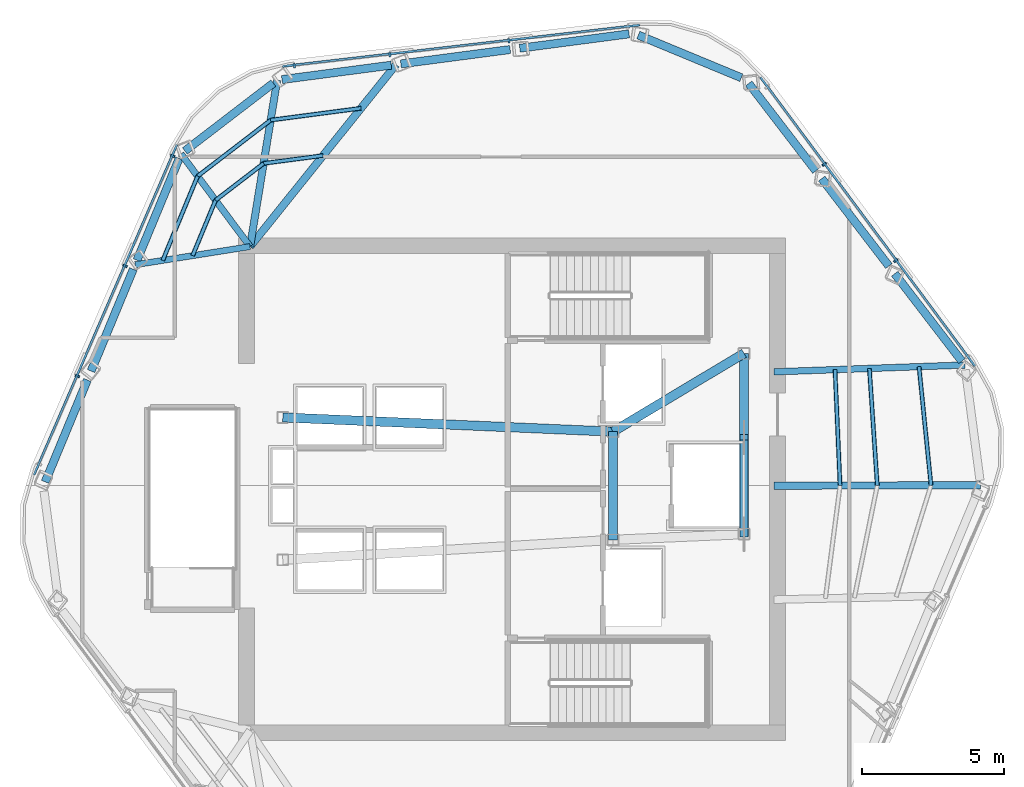
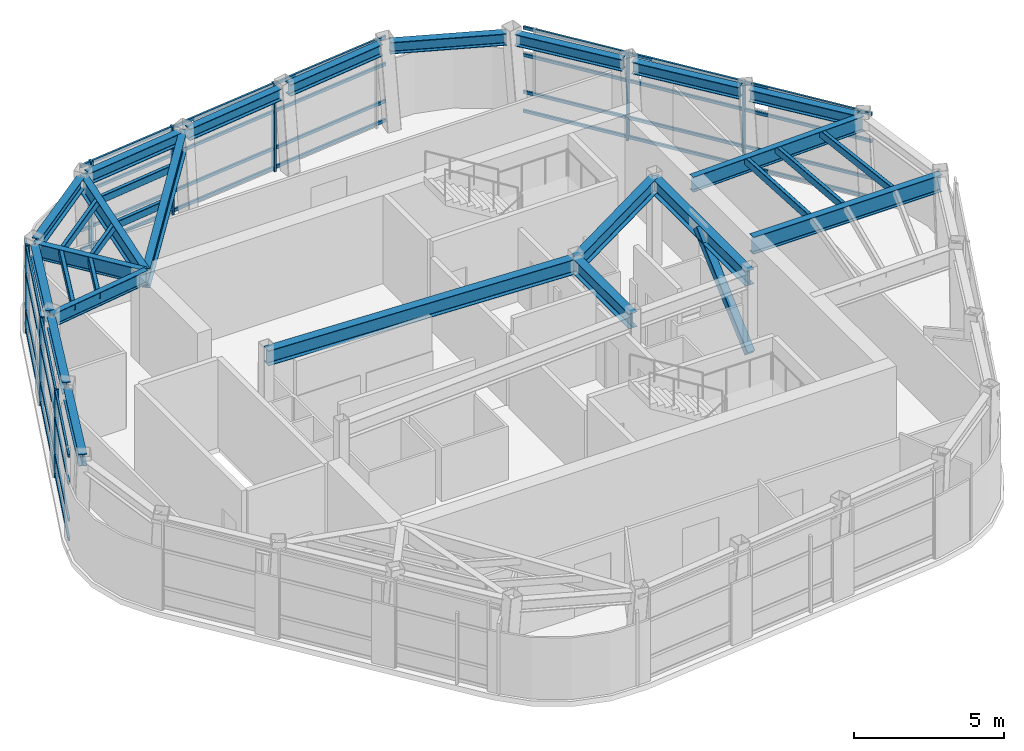
# One storey, part 3 of 11: 30 members, 21 beams, 3 elements without a shape of their own.
"""IFC4 building model written with IfcOpenShell, lengths in metres."""

from ifc_helpers import new_model, si_unit, direction, frame, origin, origin_2d, place, context, subcontext, project, spatial, rectangle, hollow_rectangle, i_section, extrude, material, layer, layer_set, material_profile, profile_set, type_object, element, aggregate, save


model = new_model("IFC4")

# Units and contexts
model_context = context("Model", 3, precision=1e-05, world=origin(), true_north=direction((0.0, 1.0)))
body_context = subcontext(model_context, "Body", "Model", "MODEL_VIEW")
ifc_project = project(units=[si_unit("LENGTHUNIT", "METRE"), si_unit("AREAUNIT", "SQUARE_METRE"), si_unit("VOLUMEUNIT", "CUBIC_METRE"), si_unit("PLANEANGLEUNIT", "RADIAN"), si_unit("MASSUNIT", "GRAM", prefix="KILO")], contexts=[model_context])

# Site, building, storey
site_placement = place(None, origin())
site = spatial("IfcSite", under=ifc_project, at=site_placement, CompositionType="ELEMENT")
building_placement = place(site_placement, origin())
building = spatial("IfcBuilding", under=site, at=building_placement, Name="Valkerne Bourse Tower", CompositionType="ELEMENT")
storey_placement = place(building_placement, frame((0.0, 0.0, 311.60009765625)))
storey = spatial("IfcBuildingStorey", under=building, at=storey_placement, Name="L79", CompositionType="ELEMENT", Elevation=311.60009765625)

# Beams
ifc_material_1 = material(Name="Steel ASTM A992", Category="steel")
ifc_material_profile_1 = material_profile(ifc_material_1, i_section(OverallWidth=0.284423828125, OverallDepth=0.47509765625, WebThickness=0.014892578125, FlangeThickness=0.02392578125, FilletRadius=0.017822265625, at=origin_2d()), Name="W18X106")
ifc_profile_set_1 = profile_set([ifc_material_profile_1], Name="Steel ASTM A992")
beam_type_1 = type_object("IfcBeamType", Name="BM-W18X106", PredefinedType="BEAM", material=ifc_profile_set_1)
beam_1_placement = place(storey_placement, frame((50.91162109375, 42.87109375, 3.34228515625), z_axis=(-0.991446782947, -0.130511595593, 0.0), x_axis=(0.130511595593, -0.991446782947, 0.0)))
element("IfcBeam", 1, at=beam_1_placement, inside=storey, type_object=beam_type_1, Name="L79 Hexagonal Spandrel Ring Beam 00", PredefinedType="BEAM", context=body_context, shape_type="SweptSolid", body=[
    extrude(i_section(OverallWidth=0.284423828125, OverallDepth=0.47509765625, WebThickness=0.014892578125, FlangeThickness=0.02392578125, FilletRadius=0.017822265625, at=origin_2d()), origin(), (0.0, 0.0, 1.0), 3.872314453125),
])
beam_2_placement = place(storey_placement, frame((46.735595703125, 42.3212890625, 3.34228515625), z_axis=(-0.991445708914, -0.130519754353, 0.0), x_axis=(0.130519754353, -0.991445708914, 0.0)))
element("IfcBeam", 2, at=beam_2_placement, inside=storey, type_object=beam_type_1, Name="L79 Hexagonal Spandrel Ring Beam 01", PredefinedType="BEAM", context=body_context, shape_type="SweptSolid", body=[
    extrude(i_section(OverallWidth=0.284423828125, OverallDepth=0.47509765625, WebThickness=0.014892578125, FlangeThickness=0.02392578125, FilletRadius=0.017822265625, at=origin_2d()), origin(), (0.0, 0.0, 1.0), 3.8720703125),
])
beam_3_placement = place(storey_placement, frame((42.559814453125, 41.771484375, 3.34228515625), z_axis=(-0.991454939332, -0.130449619681, 0.0), x_axis=(0.130449619681, -0.991454939332, 0.0)))
element("IfcBeam", 3, at=beam_3_placement, inside=storey, type_object=beam_type_1, Name="L79 Hexagonal Spandrel Ring Beam 02", PredefinedType="BEAM", context=body_context, shape_type="SweptSolid", body=[
    extrude(i_section(OverallWidth=0.284423828125, OverallDepth=0.47509765625, WebThickness=0.014892578125, FlangeThickness=0.02392578125, FilletRadius=0.017822265625, at=origin_2d()), origin(), (0.0, 0.0, 1.0), 3.872314453125),
])
beam_4_placement = place(storey_placement, frame((38.417236328125, 41.140625, 3.34228515625), z_axis=(-0.793337338041, -0.60878228298, 0.0), x_axis=(0.60878228298, -0.793337338041, 0.0)))
element("IfcBeam", 4, at=beam_4_placement, inside=storey, type_object=beam_type_1, Name="L79 Hexagonal Spandrel Ring Beam 03", PredefinedType="BEAM", context=body_context, shape_type="SweptSolid", body=[
    extrude(i_section(OverallWidth=0.284423828125, OverallDepth=0.47509765625, WebThickness=0.014892578125, FlangeThickness=0.02392578125, FilletRadius=0.017822265625, at=origin_2d()), origin(), (0.0, 0.0, 1.0), 3.915771484375),
])
beam_5_placement = place(storey_placement, frame((35.11083984375, 38.496337890625, 3.34228515625), z_axis=(-0.382680358343, -0.923880805807, 0.0), x_axis=(0.923880805807, -0.382680358343, 0.0)))
element("IfcBeam", 5, at=beam_5_placement, inside=storey, type_object=beam_type_1, Name="L79 Hexagonal Spandrel Ring Beam 04", PredefinedType="BEAM", context=body_context, shape_type="SweptSolid", body=[
    extrude(i_section(OverallWidth=0.284423828125, OverallDepth=0.47509765625, WebThickness=0.014892578125, FlangeThickness=0.02392578125, FilletRadius=0.017822265625, at=origin_2d()), origin(), (0.0, 0.0, 1.0), 3.871826171875),
])
beam_6_placement = place(storey_placement, frame((33.4990234375, 34.60498046875, 3.34228515625), z_axis=(-0.382658066395, -0.923890039032, 0.0), x_axis=(0.923890039032, -0.382658066395, 0.0)))
element("IfcBeam", 6, at=beam_6_placement, inside=storey, type_object=beam_type_1, Name="L79 Hexagonal Spandrel Ring Beam 05", PredefinedType="BEAM", context=body_context, shape_type="SweptSolid", body=[
    extrude(i_section(OverallWidth=0.284423828125, OverallDepth=0.47509765625, WebThickness=0.014892578125, FlangeThickness=0.02392578125, FilletRadius=0.017822265625, at=origin_2d()), origin(), (0.0, 0.0, 1.0), 3.8720703125),
])
beam_7_placement = place(storey_placement, frame((31.88720703125, 30.71337890625, 3.34228515625), z_axis=(-0.382680358343, -0.923880805807, 0.0), x_axis=(0.923880805807, -0.382680358343, 0.0)))
element("IfcBeam", 7, at=beam_7_placement, inside=storey, type_object=beam_type_1, Name="L79 Hexagonal Spandrel Ring Beam 06", PredefinedType="BEAM", context=body_context, shape_type="SweptSolid", body=[
    extrude(i_section(OverallWidth=0.284423828125, OverallDepth=0.47509765625, WebThickness=0.014892578125, FlangeThickness=0.02392578125, FilletRadius=0.017822265625, at=origin_2d()), origin(), (0.0, 0.0, 1.0), 3.871826171875),
])
for number, where, z_axis, x_axis, name in (
    (8, (62.6005859375, 31.375, 3.34228515625), (-0.608780948091, 0.793338362391, 0.0), (-0.793338362391, -0.608780948091, 0.0), "L79 Hexagonal Spandrel Ring Beam 20"),
    (9, (60.03662109375, 34.716552734375, 3.34228515625), (-0.608780948091, 0.793338362391, 0.0), (-0.793338362391, -0.608780948091, 0.0), "L79 Hexagonal Spandrel Ring Beam 21"),
    (10, (57.472412109375, 38.05810546875, 3.34228515625), (-0.608780948091, 0.793338362391, 0.0), (-0.793338362391, -0.608780948091, 0.0), "L79 Hexagonal Spandrel Ring Beam 22"),
):
    element("IfcBeam", number, at=place(storey_placement, frame(where, z_axis=z_axis, x_axis=x_axis)), inside=storey, type_object=beam_type_1, Name=name, PredefinedType="BEAM", context=body_context, shape_type="SweptSolid", body=[
        extrude(i_section(OverallWidth=0.284423828125, OverallDepth=0.47509765625, WebThickness=0.014892578125, FlangeThickness=0.02392578125, FilletRadius=0.017822265625, at=origin_2d()), origin(), (0.0, 0.0, 1.0), 3.8720703125),
    ])
beam_8_placement = place(storey_placement, frame((54.854736328125, 41.329833984375, 3.34228515625), z_axis=(-0.92386635704, 0.382715239219, 0.0), x_axis=(-0.382715239219, -0.92386635704, 0.0)))
element("IfcBeam", 11, at=beam_8_placement, inside=storey, type_object=beam_type_1, Name="L79 Hexagonal Spandrel Ring Beam 23", PredefinedType="BEAM", context=body_context, shape_type="SweptSolid", body=[
    extrude(i_section(OverallWidth=0.284423828125, OverallDepth=0.47509765625, WebThickness=0.014892578125, FlangeThickness=0.02392578125, FilletRadius=0.017822265625, at=origin_2d()), origin(), (0.0, 0.0, 1.0), 3.91552734375),
])
ifc_material_profile_2 = material_profile(ifc_material_1, i_section(OverallWidth=0.2138671875, OverallDepth=0.548583984375, WebThickness=0.0146484375, FlangeThickness=0.023681640625, FilletRadius=0.017822265625, at=origin_2d()), Name="W21X93")
ifc_profile_set_2 = profile_set([ifc_material_profile_2], Name="Steel ASTM A992")
beam_type_2 = type_object("IfcBeamType", Name="BM-W21X93", PredefinedType="BEAM", material=ifc_profile_set_2)
beam_9_placement = place(storey_placement, frame((33.564208984375, 34.761962890625, 3.3056640625), z_axis=(0.987736790369, 0.156128258014, 0.0), x_axis=(-0.156128258014, 0.987736790369, 0.0)))
element("IfcBeam", 12, at=beam_9_placement, inside=storey, type_object=beam_type_2, Name="L79 Radial Composite Floor Beam 05", PredefinedType="BEAM", context=body_context, shape_type="SweptSolid", body=[
    extrude(i_section(OverallWidth=0.2138671875, OverallDepth=0.548583984375, WebThickness=0.0146484375, FlangeThickness=0.023681640625, FilletRadius=0.017822265625, at=origin_2d()), origin(), (0.0, 0.0, 1.0), 4.0859375),
])
ifc_material_profile_3 = material_profile(ifc_material_1, i_section(OverallWidth=0.3251953125, OverallDepth=0.612060546875, WebThickness=0.0126953125, FlangeThickness=0.01904296875, FilletRadius=0.020263671875, at=origin_2d()), Name="W24X104")
ifc_profile_set_3 = profile_set([ifc_material_profile_3], Name="Steel ASTM A992")
beam_type_3 = type_object("IfcBeamType", Name="BM-W24X104", PredefinedType="BEAM", material=ifc_profile_set_3)
beam_10_placement = place(storey_placement, frame((50.35009765625, 25.10009765625, 3.273681640625), z_axis=(0.0, 1.0, 0.0), x_axis=(-1.0, 0.0, 0.0)))
element("IfcBeam", 13, at=beam_10_placement, inside=storey, type_object=beam_type_3, Name="L79 Core Frame Girder CG-CE", PredefinedType="BEAM", context=body_context, shape_type="SweptSolid", body=[
    extrude(i_section(OverallWidth=0.3251953125, OverallDepth=0.612060546875, WebThickness=0.0126953125, FlangeThickness=0.01904296875, FilletRadius=0.020263671875, at=origin_2d()), origin(), (0.0, 0.0, 1.0), 3.7998046875),
])
beam_11_placement = place(storey_placement, frame((50.35009765625, 28.89990234375, 3.273681640625), z_axis=(0.858307823492, 0.513135148019, 0.0), x_axis=(-0.513135148019, 0.858307823492, 0.0)))
element("IfcBeam", 14, at=beam_11_placement, inside=storey, type_object=beam_type_3, Name="L79 Core Frame Girder CG-NE", PredefinedType="BEAM", context=body_context, shape_type="SweptSolid", body=[
    extrude(i_section(OverallWidth=0.3251953125, OverallDepth=0.612060546875, WebThickness=0.0126953125, FlangeThickness=0.01904296875, FilletRadius=0.020263671875, at=origin_2d()), origin(), (0.0, 0.0, 1.0), 5.359130859375),
])
beam_12_placement = place(storey_placement, frame((54.949951171875, 25.300048828125, 3.273681640625), z_axis=(0.0, 1.0, 0.0), x_axis=(-1.0, 0.0, 0.0)))
element("IfcBeam", 15, at=beam_12_placement, inside=storey, type_object=beam_type_3, Name="L79 Core Frame Girder CG-EE", PredefinedType="BEAM", context=body_context, shape_type="SweptSolid", body=[
    extrude(i_section(OverallWidth=0.3251953125, OverallDepth=0.612060546875, WebThickness=0.0126953125, FlangeThickness=0.01904296875, FilletRadius=0.020263671875, at=origin_2d()), origin(), (0.0, 0.0, 1.0), 6.349853515625),
])
beam_13_placement = place(storey_placement, frame((38.75, 29.39990234375, 3.273681640625), z_axis=(0.999072354402, -0.043063101019, 0.0), x_axis=(0.043063101019, 0.999072354402, 0.0)))
element("IfcBeam", 16, at=beam_13_placement, inside=storey, type_object=beam_type_3, Name="L79 Core Frame Girder CG-NW", PredefinedType="BEAM", context=body_context, shape_type="SweptSolid", body=[
    extrude(i_section(OverallWidth=0.3251953125, OverallDepth=0.612060546875, WebThickness=0.0126953125, FlangeThickness=0.01904296875, FilletRadius=0.020263671875, at=origin_2d()), origin(), (0.0, 0.0, 1.0), 11.61083984375),
])
ifc_material_profile_4 = material_profile(ifc_material_1, i_section(OverallWidth=0.228271484375, OverallDepth=0.607177734375, WebThickness=0.01123046875, FlangeThickness=0.017333984375, FilletRadius=0.017822265625, at=origin_2d()), Name="W24X76")
ifc_profile_set_4 = profile_set([ifc_material_profile_4], Name="Steel ASTM A992")
beam_type_4 = type_object("IfcBeamType", Name="BM-W24X76", PredefinedType="JOIST", material=ifc_profile_set_4)
beam_14_placement = place(storey_placement, frame((35.176025390625, 38.6533203125, 3.2763671875), z_axis=(0.597474494286, -0.801887915284, 0.0), x_axis=(0.801887915284, 0.597474494286, 0.0)))
element("IfcBeam", 17, at=beam_14_placement, inside=storey, type_object=beam_type_4, Name="L79 Radial Composite Floor Beam 04", PredefinedType="JOIST", context=body_context, shape_type="SweptSolid", body=[
    extrude(i_section(OverallWidth=0.228271484375, OverallDepth=0.607177734375, WebThickness=0.01123046875, FlangeThickness=0.017333984375, FilletRadius=0.017822265625, at=origin_2d()), origin(), (0.0, 0.0, 1.0), 4.05712890625),
])
beam_15_placement = place(storey_placement, frame((62.7041015625, 31.239990234375, 3.2763671875), z_axis=(-0.999359883798, -0.035774609096, 0.0), x_axis=(0.035774609096, -0.999359883798, 0.0)))
element("IfcBeam", 18, at=beam_15_placement, inside=storey, type_object=beam_type_4, Name="L79 Radial Composite Floor Beam 20", PredefinedType="JOIST", context=body_context, shape_type="SweptSolid", body=[
    extrude(i_section(OverallWidth=0.228271484375, OverallDepth=0.607177734375, WebThickness=0.01123046875, FlangeThickness=0.017333984375, FilletRadius=0.017822265625, at=origin_2d()), origin(), (0.0, 0.0, 1.0), 6.70849609375),
])
ifc_material_profile_5 = material_profile(ifc_material_1, i_section(OverallWidth=0.255859375, OverallDepth=0.693359375, WebThickness=0.014404296875, FlangeThickness=0.023681640625, FilletRadius=0.02294921875, at=origin_2d()), Name="W27X114")
ifc_profile_set_5 = profile_set([ifc_material_profile_5], Name="Steel ASTM A992")
beam_type_5 = type_object("IfcBeamType", Name="BM-W27X114", PredefinedType="BEAM", material=ifc_profile_set_5)
beam_16_placement = place(storey_placement, frame((38.55224609375, 41.244140625, 3.233154296875), z_axis=(-0.16080077088, -0.986986885467, 0.0), x_axis=(0.986986885467, -0.16080077088, 0.0)))
element("IfcBeam", 19, at=beam_16_placement, inside=storey, type_object=beam_type_5, Name="L79 Radial Composite Floor Beam 03", PredefinedType="BEAM", context=body_context, shape_type="SweptSolid", body=[
    extrude(i_section(OverallWidth=0.255859375, OverallDepth=0.693359375, WebThickness=0.014404296875, FlangeThickness=0.023681640625, FilletRadius=0.02294921875, at=origin_2d()), origin(), (0.0, 0.0, 1.0), 5.92138671875),
])
beam_17_placement = place(storey_placement, frame((63.259521484375, 27.020751953125, 3.233154296875), z_axis=(-0.999995914273, -0.002858572481, 0.0), x_axis=(0.002858572481, -0.999995914273, 0.0)))
element("IfcBeam", 20, at=beam_17_placement, inside=storey, type_object=beam_type_5, Name="L79 Radial Composite Floor Beam 19", PredefinedType="BEAM", context=body_context, shape_type="SweptSolid", body=[
    extrude(i_section(OverallWidth=0.255859375, OverallDepth=0.693359375, WebThickness=0.014404296875, FlangeThickness=0.023681640625, FilletRadius=0.02294921875, at=origin_2d()), origin(), (0.0, 0.0, 1.0), 7.259521484375),
])
ifc_material_profile_6 = material_profile(ifc_material_1, i_section(OverallWidth=0.26806640625, OverallDepth=0.76953125, WebThickness=0.015625, FlangeThickness=0.025390625, FilletRadius=0.025390625, at=origin_2d()), Name="W30X132")
ifc_profile_set_6 = profile_set([ifc_material_profile_6], Name="Steel ASTM A992")
beam_type_6 = type_object("IfcBeamType", Name="BM-W30X132", PredefinedType="BEAM", material=ifc_profile_set_6)
beam_18_placement = place(storey_placement, frame((42.728271484375, 41.793701171875, 3.195068359375), z_axis=(-0.62567171075, -0.780086476211, 0.0), x_axis=(0.780086476211, -0.62567171075, 0.0)))
element("IfcBeam", 21, at=beam_18_placement, inside=storey, type_object=beam_type_6, Name="L79 Radial Composite Floor Beam 02", PredefinedType="BEAM", context=body_context, shape_type="SweptSolid", body=[
    extrude(i_section(OverallWidth=0.26806640625, OverallDepth=0.76953125, WebThickness=0.015625, FlangeThickness=0.025390625, FilletRadius=0.025390625, at=origin_2d()), origin(), (0.0, 0.0, 1.0), 8.1962890625),
])

# Curtain wall, members
ifc_material_2 = material(Name="Aluminium AA 6063-T6", Category="aluminium")
ifc_layer = layer(ifc_material_2, 0.25)
ifc_layer_set = layer_set([ifc_layer], Name="Aluminium AA 6063-T6")
curtain_wall_type = type_object("IfcCurtainWallType", Name="CW-06", PredefinedType="NOTDEFINED", material=ifc_layer_set)
curtain_wall_1_placement = place(storey_placement, origin())
curtain_wall_1 = element("IfcCurtainWall", 22, at=curtain_wall_1_placement, inside=storey, type_object=curtain_wall_type, Name="L79 Hexagonal Stick Curtain Wall Face 1", PredefinedType="NOTDEFINED")
ifc_material_profile_7 = material_profile(ifc_material_2, rectangle(XDim=0.074951171875, YDim=0.159912109375, at=origin_2d()), Name="CWM-75X160")
ifc_profile_set_7 = profile_set([ifc_material_profile_7], Name="Aluminium AA 6063-T6")
member_type_1 = type_object("IfcMemberType", Name="CW-MUL-160X75", PredefinedType="MULLION", material=ifc_profile_set_7)
member_1_placement = place(storey_placement, frame((46.688720703125, 42.629638671875, 0.0), z_axis=(0.0, 0.0, 1.0), x_axis=(-0.993372909733, -0.114935904784, 0.0)))
member_1 = element("IfcMember", 23, at=member_1_placement, type_object=member_type_1, Name="CW-L79-F1 Jamb Mullion 01A", PredefinedType="MULLION", context=body_context, shape_type="SweptSolid", body=[
    extrude(rectangle(XDim=0.074951171875, YDim=0.159912109375, at=origin_2d()), origin(), (0.0, 0.0, 1.0), 3.579833984375),
])
member_2_placement = place(storey_placement, frame((42.5048828125, 42.1455078125, 0.0), z_axis=(0.0, 0.0, 1.0), x_axis=(-0.993370512475, -0.114956622011, 0.0)))
member_2 = element("IfcMember", 24, at=member_2_placement, type_object=member_type_1, Name="CW-L79-F1 Jamb Mullion 02A", PredefinedType="MULLION", context=body_context, shape_type="SweptSolid", body=[
    extrude(rectangle(XDim=0.074951171875, YDim=0.159912109375, at=origin_2d()), origin(), (0.0, 0.0, 1.0), 3.579833984375),
])
member_3_placement = place(storey_placement, frame((39.155029296875, 41.7578125, 0.0), z_axis=(0.0, 0.0, 1.0), x_axis=(-0.993370512475, -0.114956622011, 0.0)))
member_3 = element("IfcMember", 25, at=member_3_placement, type_object=member_type_1, Name="CW-L79-F1 Jamb Mullion 02B", PredefinedType="MULLION", context=body_context, shape_type="SweptSolid", body=[
    extrude(rectangle(XDim=0.074951171875, YDim=0.159912109375, at=origin_2d()), origin(), (0.0, 0.0, 1.0), 3.579833984375),
])

curtain_wall_2_placement = place(storey_placement, origin())
curtain_wall_2 = element("IfcCurtainWall", 26, at=curtain_wall_2_placement, inside=storey, type_object=curtain_wall_type, Name="L79 Hexagonal Stick Curtain Wall Face 2", PredefinedType="NOTDEFINED")
member_4_placement = place(storey_placement, frame((34.881591796875, 38.583984375, 0.0), z_axis=(0.0, 0.0, 1.0), x_axis=(-0.397148991364, -0.917754149355, 0.0)))
member_4 = element("IfcMember", 27, at=member_4_placement, type_object=member_type_1, Name="CW-L79-F2 Jamb Mullion 00A", PredefinedType="MULLION", context=body_context, shape_type="SweptSolid", body=[
    extrude(rectangle(XDim=0.074951171875, YDim=0.159912109375, at=origin_2d()), origin(), (0.0, 0.0, 1.0), 3.579833984375),
])
member_5_placement = place(storey_placement, frame((33.208984375, 34.718505859375, 0.0), z_axis=(0.0, 0.0, 1.0), x_axis=(-0.397157644996, -0.917750404533, 0.0)))
member_5 = element("IfcMember", 28, at=member_5_placement, type_object=member_type_1, Name="CW-L79-F2 Jamb Mullion 01A", PredefinedType="MULLION", context=body_context, shape_type="SweptSolid", body=[
    extrude(rectangle(XDim=0.074951171875, YDim=0.159912109375, at=origin_2d()), origin(), (0.0, 0.0, 1.0), 3.579833984375),
])
member_6_placement = place(storey_placement, frame((31.5361328125, 30.85302734375, 0.0), z_axis=(0.0, 0.0, 1.0), x_axis=(-0.397148991364, -0.917754149355, 0.0)))
member_6 = element("IfcMember", 29, at=member_6_placement, type_object=member_type_1, Name="CW-L79-F2 Jamb Mullion 02A", PredefinedType="MULLION", context=body_context, shape_type="SweptSolid", body=[
    extrude(rectangle(XDim=0.074951171875, YDim=0.159912109375, at=origin_2d()), origin(), (0.0, 0.0, 1.0), 3.579833984375),
])

curtain_wall_3_placement = place(storey_placement, origin())
curtain_wall_3 = element("IfcCurtainWall", 30, at=curtain_wall_3_placement, inside=storey, type_object=curtain_wall_type, Name="L79 Hexagonal Stick Curtain Wall Face 6", PredefinedType="NOTDEFINED")
member_7_placement = place(storey_placement, frame((60.280029296875, 34.910888671875, 0.0), z_axis=(0.0, 0.0, 1.0), x_axis=(-0.59622127464, 0.802820149017, 0.0)))
member_7 = element("IfcMember", 31, at=member_7_placement, type_object=member_type_1, Name="CW-L79-F6 Jamb Mullion 01A", PredefinedType="MULLION", context=body_context, shape_type="SweptSolid", body=[
    extrude(rectangle(XDim=0.074951171875, YDim=0.159912109375, at=origin_2d()), origin(), (0.0, 0.0, 1.0), 3.579833984375),
])
member_8_placement = place(storey_placement, frame((57.768798828125, 38.29248046875, 0.0), z_axis=(0.0, 0.0, 1.0), x_axis=(-0.59622127464, 0.802820149017, 0.0)))
member_8 = element("IfcMember", 32, at=member_8_placement, type_object=member_type_1, Name="CW-L79-F6 Jamb Mullion 02A", PredefinedType="MULLION", context=body_context, shape_type="SweptSolid", body=[
    extrude(rectangle(XDim=0.074951171875, YDim=0.159912109375, at=origin_2d()), origin(), (0.0, 0.0, 1.0), 3.579833984375),
])

# Member
ifc_material_profile_8 = material_profile(ifc_material_2, rectangle(XDim=0.074951171875, YDim=0.1201171875, at=origin_2d()), Name="CWT-75X120")
ifc_profile_set_8 = profile_set([ifc_material_profile_8], Name="Aluminium AA 6063-T6")
member_type_2 = type_object("IfcMemberType", Name="CW-TRN-120X75", PredefinedType="USERDEFINED", material=ifc_profile_set_8)
member_9_placement = place(storey_placement, frame((51.287841796875, 43.181884765625, 0.119873046875), z_axis=(-0.993372330497, -0.114940910922, 0.0), x_axis=(0.114940910922, -0.993372330497, 0.0)))
member_9 = element("IfcMember", 33, at=member_9_placement, type_object=member_type_2, Name="CW-L79-F1 Continuous Face Transom 1", ObjectType="TRANSOM", PredefinedType="USERDEFINED", context=body_context, shape_type="SweptSolid", body=[
    extrude(rectangle(XDim=0.074951171875, YDim=0.1201171875, at=origin_2d()), origin(), (0.0, 0.0, 1.0), 12.635986328125),
])

member_10_placement = place(storey_placement, frame((51.287841796875, 43.181884765625, 0.89990234375), z_axis=(-0.993372330497, -0.114940910922, 0.0), x_axis=(0.114940910922, -0.993372330497, 0.0)))
member_10 = element("IfcMember", 34, at=member_10_placement, type_object=member_type_2, Name="CW-L79-F1 Continuous Face Transom 2", ObjectType="TRANSOM", PredefinedType="USERDEFINED", context=body_context, shape_type="SweptSolid", body=[
    extrude(rectangle(XDim=0.074951171875, YDim=0.1201171875, at=origin_2d()), origin(), (0.0, 0.0, 1.0), 12.635986328125),
])

member_11_placement = place(storey_placement, frame((51.287841796875, 43.181884765625, 2.39990234375), z_axis=(-0.993372330497, -0.114940910922, 0.0), x_axis=(0.114940910922, -0.993372330497, 0.0)))
member_11 = element("IfcMember", 35, at=member_11_placement, type_object=member_type_2, Name="CW-L79-F1 Continuous Face Transom 3", ObjectType="TRANSOM", PredefinedType="USERDEFINED", context=body_context, shape_type="SweptSolid", body=[
    extrude(rectangle(XDim=0.074951171875, YDim=0.1201171875, at=origin_2d()), origin(), (0.0, 0.0, 1.0), 12.635986328125),
])

member_12_placement = place(storey_placement, frame((51.287841796875, 43.181884765625, 3.5), z_axis=(-0.993372330497, -0.114940910922, 0.0), x_axis=(0.114940910922, -0.993372330497, 0.0)))
member_12 = element("IfcMember", 36, at=member_12_placement, type_object=member_type_2, Name="CW-L79-F1 Continuous Face Transom 4", ObjectType="TRANSOM", PredefinedType="USERDEFINED", context=body_context, shape_type="SweptSolid", body=[
    extrude(rectangle(XDim=0.074951171875, YDim=0.1201171875, at=origin_2d()), origin(), (0.0, 0.0, 1.0), 12.635986328125),
])

aggregate(curtain_wall_1, [member_9, member_10, member_11, member_12, member_1, member_2, member_3])

member_13_placement = place(storey_placement, frame((35.030029296875, 38.9775390625, 0.119873046875), z_axis=(-0.397146499123, -0.917755227844, 0.0), x_axis=(0.917755227844, -0.397146499123, 0.0)))
member_13 = element("IfcMember", 37, at=member_13_placement, type_object=member_type_2, Name="CW-L79-F2 Continuous Face Transom 1", ObjectType="TRANSOM", PredefinedType="USERDEFINED", context=body_context, shape_type="SweptSolid", body=[
    extrude(rectangle(XDim=0.074951171875, YDim=0.1201171875, at=origin_2d()), origin(), (0.0, 0.0, 1.0), 12.635986328125),
])

member_14_placement = place(storey_placement, frame((35.030029296875, 38.9775390625, 0.89990234375), z_axis=(-0.397146499123, -0.917755227844, 0.0), x_axis=(0.917755227844, -0.397146499123, 0.0)))
member_14 = element("IfcMember", 38, at=member_14_placement, type_object=member_type_2, Name="CW-L79-F2 Continuous Face Transom 2", ObjectType="TRANSOM", PredefinedType="USERDEFINED", context=body_context, shape_type="SweptSolid", body=[
    extrude(rectangle(XDim=0.074951171875, YDim=0.1201171875, at=origin_2d()), origin(), (0.0, 0.0, 1.0), 12.635986328125),
])

member_15_placement = place(storey_placement, frame((35.030029296875, 38.9775390625, 2.39990234375), z_axis=(-0.397146499123, -0.917755227844, 0.0), x_axis=(0.917755227844, -0.397146499123, 0.0)))
member_15 = element("IfcMember", 39, at=member_15_placement, type_object=member_type_2, Name="CW-L79-F2 Continuous Face Transom 3", ObjectType="TRANSOM", PredefinedType="USERDEFINED", context=body_context, shape_type="SweptSolid", body=[
    extrude(rectangle(XDim=0.074951171875, YDim=0.1201171875, at=origin_2d()), origin(), (0.0, 0.0, 1.0), 12.635986328125),
])

member_16_placement = place(storey_placement, frame((35.030029296875, 38.9775390625, 3.5), z_axis=(-0.397146499123, -0.917755227844, 0.0), x_axis=(0.917755227844, -0.397146499123, 0.0)))
member_16 = element("IfcMember", 40, at=member_16_placement, type_object=member_type_2, Name="CW-L79-F2 Continuous Face Transom 4", ObjectType="TRANSOM", PredefinedType="USERDEFINED", context=body_context, shape_type="SweptSolid", body=[
    extrude(rectangle(XDim=0.074951171875, YDim=0.1201171875, at=origin_2d()), origin(), (0.0, 0.0, 1.0), 12.635986328125),
])

aggregate(curtain_wall_2, [member_13, member_14, member_15, member_16, member_4, member_5, member_6])

member_17_placement = place(storey_placement, frame((63.057861328125, 31.204345703125, 0.119873046875), z_axis=(-0.596231152193, 0.802812813272, 0.0), x_axis=(-0.802812813272, -0.596231152193, 0.0)))
member_17 = element("IfcMember", 41, at=member_17_placement, type_object=member_type_2, Name="CW-L79-F6 Continuous Face Transom 1", ObjectType="TRANSOM", PredefinedType="USERDEFINED", context=body_context, shape_type="SweptSolid", body=[
    extrude(rectangle(XDim=0.074951171875, YDim=0.1201171875, at=origin_2d()), origin(), (0.0, 0.0, 1.0), 12.635986328125),
])

member_18_placement = place(storey_placement, frame((63.057861328125, 31.204345703125, 0.89990234375), z_axis=(-0.596231152193, 0.802812813272, 0.0), x_axis=(-0.802812813272, -0.596231152193, 0.0)))
member_18 = element("IfcMember", 42, at=member_18_placement, type_object=member_type_2, Name="CW-L79-F6 Continuous Face Transom 2", ObjectType="TRANSOM", PredefinedType="USERDEFINED", context=body_context, shape_type="SweptSolid", body=[
    extrude(rectangle(XDim=0.074951171875, YDim=0.1201171875, at=origin_2d()), origin(), (0.0, 0.0, 1.0), 12.635986328125),
])

member_19_placement = place(storey_placement, frame((63.057861328125, 31.204345703125, 2.39990234375), z_axis=(-0.596231152193, 0.802812813272, 0.0), x_axis=(-0.802812813272, -0.596231152193, 0.0)))
member_19 = element("IfcMember", 43, at=member_19_placement, type_object=member_type_2, Name="CW-L79-F6 Continuous Face Transom 3", ObjectType="TRANSOM", PredefinedType="USERDEFINED", context=body_context, shape_type="SweptSolid", body=[
    extrude(rectangle(XDim=0.074951171875, YDim=0.1201171875, at=origin_2d()), origin(), (0.0, 0.0, 1.0), 12.635986328125),
])

member_20_placement = place(storey_placement, frame((63.057861328125, 31.204345703125, 3.5), z_axis=(-0.596231152193, 0.802812813272, 0.0), x_axis=(-0.802812813272, -0.596231152193, 0.0)))
member_20 = element("IfcMember", 44, at=member_20_placement, type_object=member_type_2, Name="CW-L79-F6 Continuous Face Transom 4", ObjectType="TRANSOM", PredefinedType="USERDEFINED", context=body_context, shape_type="SweptSolid", body=[
    extrude(rectangle(XDim=0.074951171875, YDim=0.1201171875, at=origin_2d()), origin(), (0.0, 0.0, 1.0), 12.635986328125),
])

aggregate(curtain_wall_3, [member_17, member_18, member_19, member_20, member_7, member_8])

# Members
ifc_material_3 = material(Name="Steel ASTM A500 Grade C", Category="steel")
ifc_material_profile_9 = material_profile(ifc_material_3, hollow_rectangle(XDim=0.14990234375, YDim=0.300048828125, WallThickness=0.012451171875, OuterFilletRadius=0.02490234375, at=origin_2d()), Name="HSS300X150X12.5")
ifc_profile_set_9 = profile_set([ifc_material_profile_9], Name="Steel ASTM A500 Grade C")
member_type_3 = type_object("IfcMemberType", Name="MBR-HSS300X150X12.5", PredefinedType="PURLIN", material=ifc_profile_set_9)
member_21_placement = place(storey_placement, frame((58.322998046875, 27.006591796875, 3.419921875), z_axis=(-0.043624456824, 0.999048000232, 0.0), x_axis=(-0.999048000232, -0.043624456824, 0.0)))
element("IfcMember", 45, at=member_21_placement, inside=storey, type_object=member_type_3, Name="L79 Secondary Composite Floor Purlin I-19", PredefinedType="PURLIN", context=body_context, shape_type="SweptSolid", body=[
    extrude(hollow_rectangle(XDim=0.14990234375, YDim=0.300048828125, WallThickness=0.012451171875, OuterFilletRadius=0.02490234375, at=origin_2d()), origin(), (0.0, 0.0, 1.0), 4.07421875),
])
member_22_placement = place(storey_placement, frame((40.1640625, 38.596923828125, 3.419921875), z_axis=(-0.991443243408, -0.1305384813, 0.0), x_axis=(0.1305384813, -0.991443243408, 0.0)))
element("IfcMember", 46, at=member_22_placement, inside=storey, type_object=member_type_3, Name="L79 Secondary Composite Floor Purlin M-02", PredefinedType="PURLIN", context=body_context, shape_type="SweptSolid", body=[
    extrude(hollow_rectangle(XDim=0.14990234375, YDim=0.300048828125, WallThickness=0.012451171875, OuterFilletRadius=0.02490234375, at=origin_2d()), origin(), (0.0, 0.0, 1.0), 2.10595703125),
])
member_23_placement = place(storey_placement, frame((38.076171875, 38.322021484375, 3.419921875), z_axis=(-0.793357004108, -0.6087566542, 0.0), x_axis=(0.6087566542, -0.793357004108, 0.0)))
element("IfcMember", 47, at=member_23_placement, inside=storey, type_object=member_type_3, Name="L79 Secondary Composite Floor Purlin M-03", PredefinedType="PURLIN", context=body_context, shape_type="SweptSolid", body=[
    extrude(hollow_rectangle(XDim=0.14990234375, YDim=0.300048828125, WallThickness=0.012451171875, OuterFilletRadius=0.02490234375, at=origin_2d()), origin(), (0.0, 0.0, 1.0), 2.1279296875),
])
member_24_placement = place(storey_placement, frame((36.387939453125, 37.026611328125, 3.419921875), z_axis=(-0.382696506463, -0.923874116934, 0.0), x_axis=(0.923874116934, -0.382696506463, 0.0)))
element("IfcMember", 48, at=member_24_placement, inside=storey, type_object=member_type_3, Name="L79 Secondary Composite Floor Purlin M-04", PredefinedType="PURLIN", context=body_context, shape_type="SweptSolid", body=[
    extrude(hollow_rectangle(XDim=0.14990234375, YDim=0.300048828125, WallThickness=0.012451171875, OuterFilletRadius=0.02490234375, at=origin_2d()), origin(), (0.0, 0.0, 1.0), 2.10595703125),
])
member_25_placement = place(storey_placement, frame((59.6298828125, 27.010498046875, 3.419921875), z_axis=(-0.067451332476, 0.99772256552, 0.0), x_axis=(-0.99772256552, -0.067451332476, 0.0)))
element("IfcMember", 49, at=member_25_placement, inside=storey, type_object=member_type_3, Name="L79 Secondary Composite Floor Purlin M-19", PredefinedType="PURLIN", context=body_context, shape_type="SweptSolid", body=[
    extrude(hollow_rectangle(XDim=0.14990234375, YDim=0.300048828125, WallThickness=0.012451171875, OuterFilletRadius=0.02490234375, at=origin_2d()), origin(), (0.0, 0.0, 1.0), 4.118896484375),
])
member_26_placement = place(storey_placement, frame((41.497314453125, 40.25927734375, 3.419921875), z_axis=(-0.991448323654, -0.130499890897, 0.0), x_axis=(0.130499890897, -0.991448323654, 0.0)))
element("IfcMember", 50, at=member_26_placement, inside=storey, type_object=member_type_3, Name="L79 Secondary Composite Floor Purlin O-02", PredefinedType="PURLIN", context=body_context, shape_type="SweptSolid", body=[
    extrude(hollow_rectangle(XDim=0.14990234375, YDim=0.300048828125, WallThickness=0.012451171875, OuterFilletRadius=0.02490234375, at=origin_2d()), origin(), (0.0, 0.0, 1.0), 3.200927734375),
])
member_27_placement = place(storey_placement, frame((38.32373046875, 39.841552734375, 3.419921875), z_axis=(-0.793338999844, -0.608780117388, 0.0), x_axis=(0.608780117388, -0.793338999844, 0.0)))
element("IfcMember", 51, at=member_27_placement, inside=storey, type_object=member_type_3, Name="L79 Secondary Composite Floor Purlin O-03", PredefinedType="PURLIN", context=body_context, shape_type="SweptSolid", body=[
    extrude(hollow_rectangle(XDim=0.14990234375, YDim=0.300048828125, WallThickness=0.012451171875, OuterFilletRadius=0.02490234375, at=origin_2d()), origin(), (0.0, 0.0, 1.0), 3.234375),
])
member_28_placement = place(storey_placement, frame((35.7578125, 37.87255859375, 3.419921875), z_axis=(-0.382697552041, -0.923873683824, 0.0), x_axis=(0.923873683824, -0.382697552041, 0.0)))
element("IfcMember", 52, at=member_28_placement, inside=storey, type_object=member_type_3, Name="L79 Secondary Composite Floor Purlin O-04", PredefinedType="PURLIN", context=body_context, shape_type="SweptSolid", body=[
    extrude(hollow_rectangle(XDim=0.14990234375, YDim=0.300048828125, WallThickness=0.012451171875, OuterFilletRadius=0.02490234375, at=origin_2d()), origin(), (0.0, 0.0, 1.0), 3.201171875),
])
member_29_placement = place(storey_placement, frame((61.517333984375, 27.015869140625, 3.419921875), z_axis=(-0.10079657217, 0.994907056483, 0.0), x_axis=(-0.994907056483, -0.10079657217, 0.0)))
element("IfcMember", 53, at=member_29_placement, inside=storey, type_object=member_type_3, Name="L79 Secondary Composite Floor Purlin O-19", PredefinedType="PURLIN", context=body_context, shape_type="SweptSolid", body=[
    extrude(hollow_rectangle(XDim=0.14990234375, YDim=0.300048828125, WallThickness=0.012451171875, OuterFilletRadius=0.02490234375, at=origin_2d()), origin(), (0.0, 0.0, 1.0), 4.187744140625),
])
ifc_material_profile_10 = material_profile(ifc_material_3, hollow_rectangle(XDim=0.300048828125, YDim=0.300048828125, WallThickness=0.012451171875, OuterFilletRadius=0.02490234375, at=origin_2d()), Name="HSS300X300X12.5")
ifc_profile_set_10 = profile_set([ifc_material_profile_10], Name="Steel ASTM A500 Grade C")
member_type_4 = type_object("IfcMemberType", Name="MBR-HSS300X300X12.5", PredefinedType="STRUT", material=ifc_profile_set_10)
member_30_placement = place(storey_placement, frame((54.949951171875, 25.300048828125, 0.219970703125), z_axis=(0.0, 0.743968491622, 0.668214698636), x_axis=(-1.0, 0.0, 0.0)))
element("IfcMember", 54, at=member_30_placement, inside=storey, type_object=member_type_4, Name="L79 Core Service Pier Lateral Brace", PredefinedType="STRUT", context=body_context, shape_type="SweptSolid", body=[
    extrude(hollow_rectangle(XDim=0.300048828125, YDim=0.300048828125, WallThickness=0.012451171875, OuterFilletRadius=0.02490234375, at=origin_2d()), origin(), (0.0, 0.0, 1.0), 4.570068359375),
])

save(model, "model.ifc")
